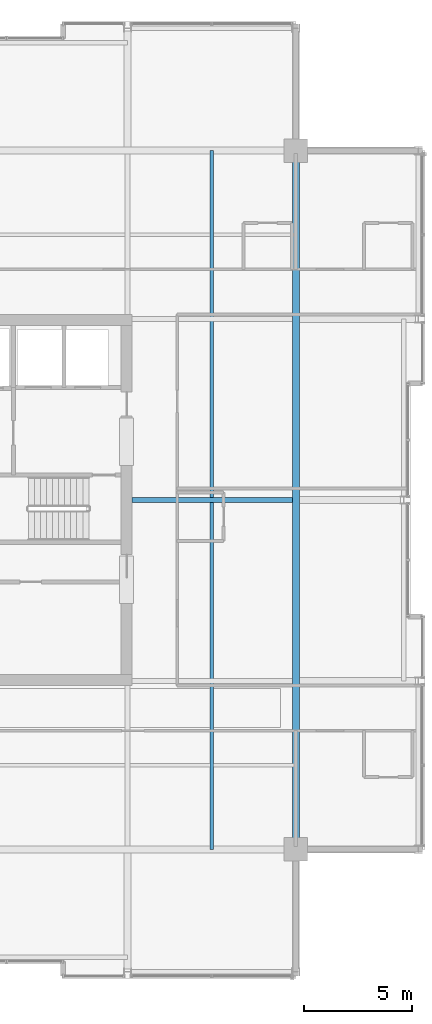
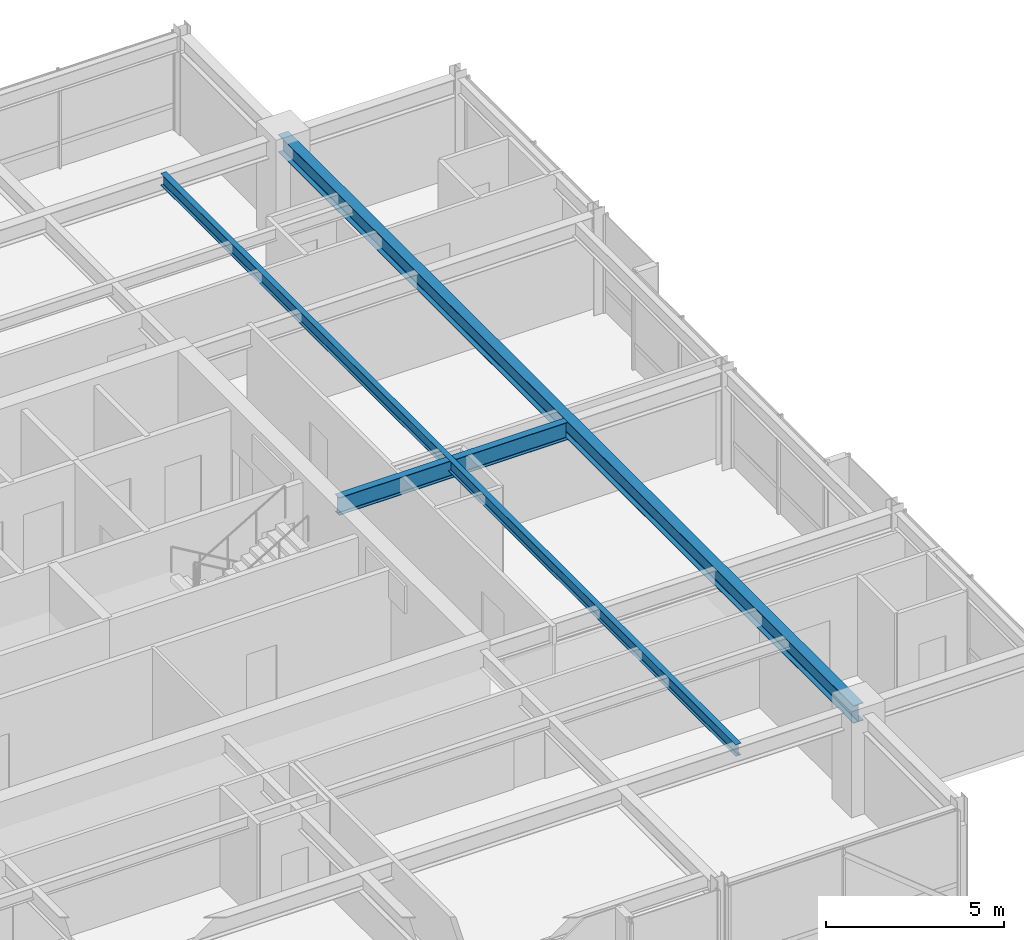
# One storey, part 17 of 33: 3 beams.
"""IFC4 building model written with IfcOpenShell, lengths in metres."""

from ifc_helpers import new_model, si_unit, direction, frame, origin, origin_2d, place, context, subcontext, project, spatial, i_section, extrude, material, material_profile, profile_set, type_object, element, save


model = new_model("IFC4")

# Units and contexts
model_context = context("Model", 3, precision=1e-05, world=origin(), true_north=direction((0.0, 1.0)))
body_context = subcontext(model_context, "Body", "Model", "MODEL_VIEW")
ifc_project = project(units=[si_unit("LENGTHUNIT", "METRE"), si_unit("AREAUNIT", "SQUARE_METRE"), si_unit("VOLUMEUNIT", "CUBIC_METRE"), si_unit("PLANEANGLEUNIT", "RADIAN"), si_unit("MASSUNIT", "GRAM", prefix="KILO")], contexts=[model_context])

# Site, building, storey
site_placement = place(None, origin())
site = spatial("IfcSite", under=ifc_project, at=site_placement, CompositionType="ELEMENT")
building_placement = place(site_placement, origin())
building = spatial("IfcBuilding", under=site, at=building_placement, Name="Drelvath Grand Hotel", CompositionType="ELEMENT")
storey_placement = place(building_placement, frame((0.0, 0.0, 275.949951171875)))
storey = spatial("IfcBuildingStorey", under=building, at=storey_placement, Name="L72", CompositionType="ELEMENT", Elevation=275.949951171875)

# Beams
ifc_material = material(Name="Steel ASTM A992 Gr 50", Category="steel")
ifc_material_profile_1 = material_profile(ifc_material, i_section(OverallWidth=0.177734375, OverallDepth=0.40673828125, WebThickness=0.0078125, FlangeThickness=0.0126953125, FilletRadius=0.014892578125, at=origin_2d()), Name="W16X40")
ifc_profile_set_1 = profile_set([ifc_material_profile_1], Name="Steel ASTM A992 Gr 50")
beam_type_1 = type_object("IfcBeamType", Name="Composite Floor Joist W16X40", PredefinedType="JOIST", material=ifc_profile_set_1)
beam_1_placement = place(storey_placement, frame((12.300048828125, 10.800048828125, 3.186767578125), z_axis=(0.0, 1.0, 0.0), x_axis=(-1.0, 0.0, 0.0)))
element("IfcBeam", 1, at=beam_1_placement, inside=storey, type_object=beam_type_1, Name="L72 Wing Floor Joist J4", PredefinedType="JOIST", context=body_context, shape_type="SweptSolid", body=[
    extrude(i_section(OverallWidth=0.177734375, OverallDepth=0.40673828125, WebThickness=0.0078125, FlangeThickness=0.0126953125, FilletRadius=0.014892578125, at=origin_2d()), origin(), (0.0, 0.0, 1.0), 32.39990234375),
])
ifc_material_profile_2 = material_profile(ifc_material, i_section(OverallWidth=0.323974609375, OverallDepth=0.611083984375, WebThickness=0.0126953125, FlangeThickness=0.01904296875, FilletRadius=0.02197265625, at=origin_2d()), Name="W24X104")
ifc_profile_set_2 = profile_set([ifc_material_profile_2], Name="Steel ASTM A992 Gr 50")
beam_type_2 = type_object("IfcBeamType", Name="Primary Floor Girder W24X104", PredefinedType="BEAM", material=ifc_profile_set_2)
beam_2_placement = place(storey_placement, frame((16.199951171875, 10.800048828125, 3.08447265625), z_axis=(0.0, 1.0, 0.0), x_axis=(-1.0, 0.0, 0.0)))
element("IfcBeam", 2, at=beam_2_placement, inside=storey, type_object=beam_type_2, Name="L72 Mega Ring Girder East", PredefinedType="BEAM", context=body_context, shape_type="SweptSolid", body=[
    extrude(i_section(OverallWidth=0.323974609375, OverallDepth=0.611083984375, WebThickness=0.0126953125, FlangeThickness=0.01904296875, FilletRadius=0.02197265625, at=origin_2d()), origin(), (0.0, 0.0, 1.0), 32.39990234375),
])
ifc_material_profile_3 = material_profile(ifc_material, i_section(OverallWidth=0.228271484375, OverallDepth=0.607666015625, WebThickness=0.01123046875, FlangeThickness=0.017333984375, FilletRadius=0.02001953125, at=origin_2d()), Name="W24X76")
ifc_profile_set_3 = profile_set([ifc_material_profile_3], Name="Steel ASTM A992 Gr 50")
beam_type_3 = type_object("IfcBeamType", Name="Primary Floor Girder W24X76", PredefinedType="BEAM", material=ifc_profile_set_3)
beam_3_placement = place(storey_placement, frame((8.60009765625, 27.0, 3.086181640625), z_axis=(1.0, 0.0, 0.0), x_axis=(0.0, 1.0, 0.0)))
element("IfcBeam", 3, at=beam_3_placement, inside=storey, type_object=beam_type_3, Name="L72 East Core Tie E", PredefinedType="BEAM", context=body_context, shape_type="SweptSolid", body=[
    extrude(i_section(OverallWidth=0.228271484375, OverallDepth=0.607666015625, WebThickness=0.01123046875, FlangeThickness=0.017333984375, FilletRadius=0.02001953125, at=origin_2d()), origin(), (0.0, 0.0, 1.0), 7.43798828125),
])

save(model, "model.ifc")
